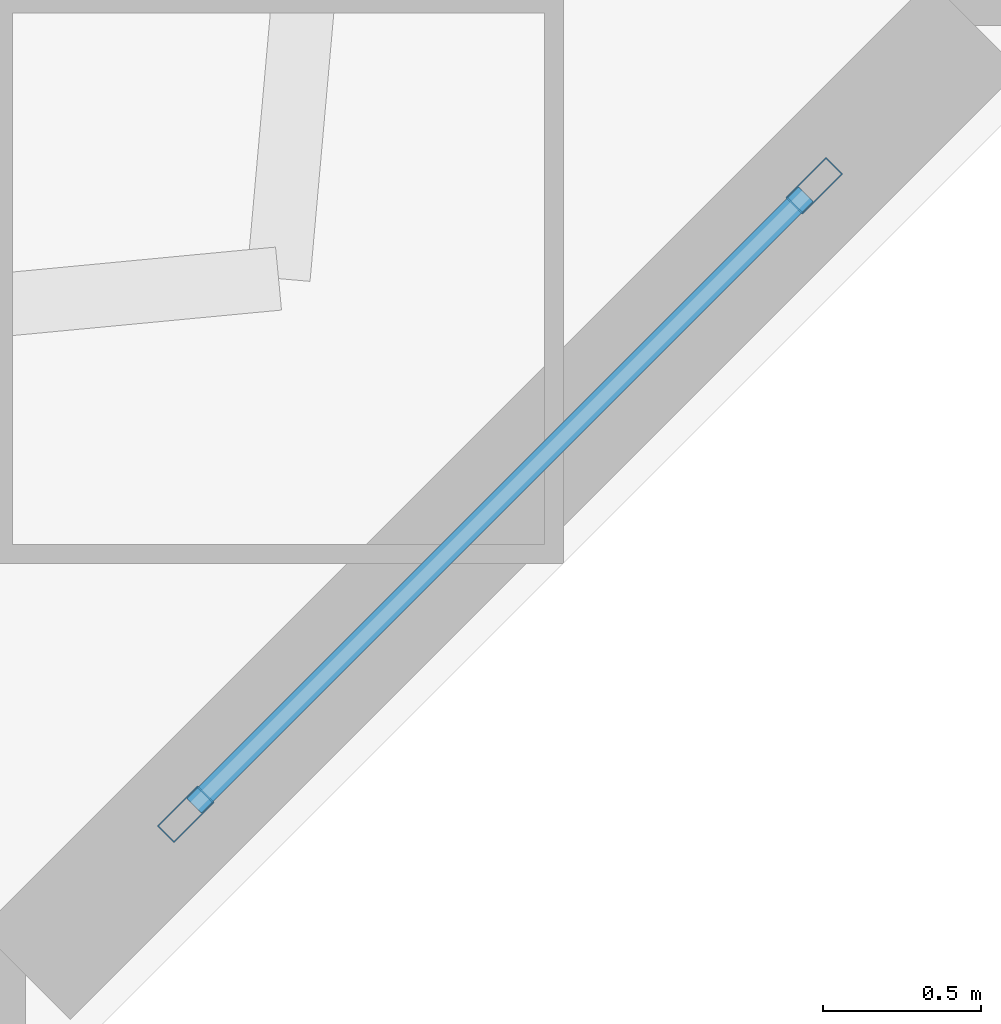
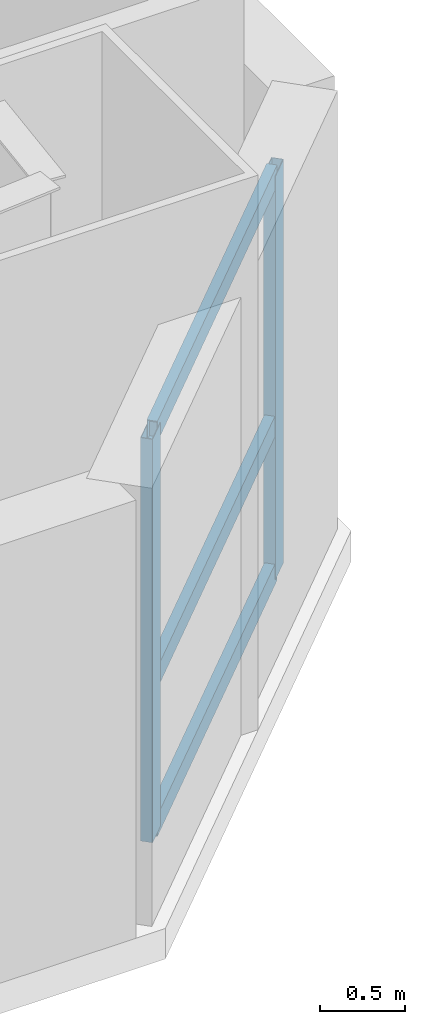
# One storey, part 2 of 24: 5 members, 1 element without a shape of its own.
"""IFC4 building model written with IfcOpenShell, lengths in metres."""

from ifc_helpers import new_model, si_unit, direction, frame, origin, origin_2d, place, context, subcontext, project, spatial, hollow_rectangle, extrude, material, layer, layer_set, material_profile, profile_set, type_object, element, aggregate, save


model = new_model("IFC4")

# Units and contexts
model_context = context("Model", 3, precision=1e-05, world=origin(), true_north=direction((0.0, 1.0)))
body_context = subcontext(model_context, "Body", "Model", "MODEL_VIEW")
ifc_project = project(units=[si_unit("LENGTHUNIT", "METRE"), si_unit("AREAUNIT", "SQUARE_METRE"), si_unit("VOLUMEUNIT", "CUBIC_METRE"), si_unit("PLANEANGLEUNIT", "RADIAN"), si_unit("MASSUNIT", "GRAM", prefix="KILO")], contexts=[model_context])

# Site, building, storey
site_placement = place(None, origin())
site = spatial("IfcSite", under=ifc_project, at=site_placement, CompositionType="ELEMENT")
building_placement = place(site_placement, origin())
building = spatial("IfcBuilding", under=site, at=building_placement, Name="Qiaolan Cultural Towers", CompositionType="ELEMENT")
storey_placement = place(building_placement, frame((0.0, 0.0, 30.0)))
storey = spatial("IfcBuildingStorey", under=building, at=storey_placement, Name="L06", CompositionType="ELEMENT", Elevation=30.0)

# Curtain wall, members
ifc_material_1 = material(Name="Unitized Anodized Aluminium Curtain Wall System", Category="aluminium")
ifc_layer = layer(ifc_material_1, 0.199951171875)
ifc_layer_set = layer_set([ifc_layer], Name="Unitized Anodized Aluminium Curtain Wall System")
curtain_wall_type = type_object("IfcCurtainWallType", Name="CWS-02", PredefinedType="NOTDEFINED", material=ifc_layer_set)
curtain_wall_placement = place(storey_placement, origin())
curtain_wall = element("IfcCurtainWall", 1, at=curtain_wall_placement, inside=storey, type_object=curtain_wall_type, Name="L06 T1 Chamfer Wind-Corner Feature Curtain Wall 2", PredefinedType="NOTDEFINED")
ifc_material_2 = material(Name="Extruded Aluminium 6063-T6", Category="aluminium")
ifc_material_profile_1 = material_profile(ifc_material_2, hollow_rectangle(XDim=0.074951171875, YDim=0.179931640625, WallThickness=0.00390625, at=origin_2d()), Name="CWM-180x75x4")
ifc_profile_set_1 = profile_set([ifc_material_profile_1], Name="Extruded Aluminium 6063-T6")
member_type_1 = type_object("IfcMemberType", Name="CWS-02-MUL", PredefinedType="MULLION", material=ifc_profile_set_1)
member_1_placement = place(storey_placement, frame((49.093505859375, 6.693603515625, 0.14990234375), z_axis=(0.0, 0.0, 1.0), x_axis=(0.707106781187, -0.707106781187, 0.0)))
member_1 = element("IfcMember", 2, at=member_1_placement, type_object=member_type_1, Name="CW-2 mullion 1", PredefinedType="MULLION", context=body_context, shape_type="SweptSolid", body=[
    extrude(hollow_rectangle(XDim=0.074951171875, YDim=0.179931640625, WallThickness=0.00390625, at=origin_2d()), origin(), (0.0, 0.0, 1.0), 2.91015625),
])
member_2_placement = place(storey_placement, frame((47.1064453125, 4.70654296875, 0.14990234375), z_axis=(0.0, 0.0, 1.0), x_axis=(0.707106781187, -0.707106781187, 0.0)))
member_2 = element("IfcMember", 3, at=member_2_placement, type_object=member_type_1, Name="CW-2 mullion 2", PredefinedType="MULLION", context=body_context, shape_type="SweptSolid", body=[
    extrude(hollow_rectangle(XDim=0.074951171875, YDim=0.179931640625, WallThickness=0.00390625, at=origin_2d()), origin(), (0.0, 0.0, 1.0), 2.91015625),
])
ifc_material_3 = material(Name="Extruded Aluminium 6063-T6", Category="aluminium")
ifc_material_profile_2 = material_profile(ifc_material_3, hollow_rectangle(XDim=0.06494140625, YDim=0.14990234375, WallThickness=0.00390625, at=origin_2d()), Name="CWT-150x65x4")
ifc_profile_set_2 = profile_set([ifc_material_profile_2], Name="Extruded Aluminium 6063-T6")
member_type_2 = type_object("IfcMemberType", Name="CWS-02-TRN", PredefinedType="USERDEFINED", material=ifc_profile_set_2)
member_3_placement = place(storey_placement, frame((49.06689453125, 6.6669921875, 0.1826171875), z_axis=(-0.707106781187, -0.707106781187, 0.0), x_axis=(0.707106781187, -0.707106781187, 0.0)))
member_3 = element("IfcMember", 4, at=member_3_placement, type_object=member_type_2, Name="CW-2 transom 1.1", ObjectType="TRANSOM", PredefinedType="USERDEFINED", context=body_context, shape_type="SweptSolid", body=[
    extrude(hollow_rectangle(XDim=0.06494140625, YDim=0.14990234375, WallThickness=0.00390625, at=origin_2d()), origin(), (0.0, 0.0, 1.0), 2.73486328125),
])
member_4_placement = place(storey_placement, frame((49.06689453125, 6.6669921875, 1.25), z_axis=(-0.707106781187, -0.707106781187, 0.0), x_axis=(0.707106781187, -0.707106781187, 0.0)))
member_4 = element("IfcMember", 5, at=member_4_placement, type_object=member_type_2, Name="CW-2 transom 1.2", ObjectType="TRANSOM", PredefinedType="USERDEFINED", context=body_context, shape_type="SweptSolid", body=[
    extrude(hollow_rectangle(XDim=0.06494140625, YDim=0.14990234375, WallThickness=0.00390625, at=origin_2d()), origin(), (0.0, 0.0, 1.0), 2.73486328125),
])
member_5_placement = place(storey_placement, frame((49.06689453125, 6.6669921875, 3.027587890625), z_axis=(-0.707106781187, -0.707106781187, 0.0), x_axis=(0.707106781187, -0.707106781187, 0.0)))
member_5 = element("IfcMember", 6, at=member_5_placement, type_object=member_type_2, Name="CW-2 transom 1.3", ObjectType="TRANSOM", PredefinedType="USERDEFINED", context=body_context, shape_type="SweptSolid", body=[
    extrude(hollow_rectangle(XDim=0.06494140625, YDim=0.14990234375, WallThickness=0.00390625, at=origin_2d()), origin(), (0.0, 0.0, 1.0), 2.73486328125),
])
aggregate(curtain_wall, [member_1, member_2, member_3, member_4, member_5])

save(model, "model.ifc")
